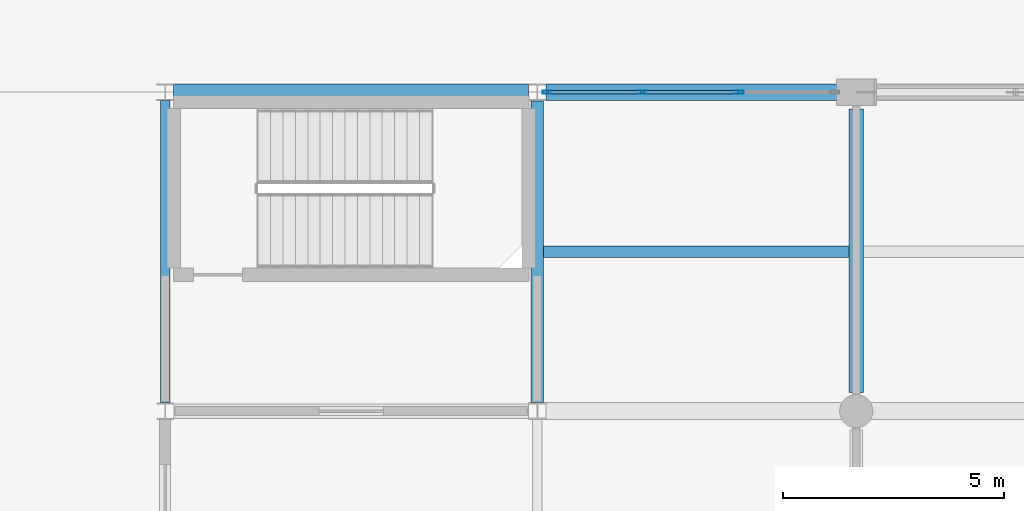
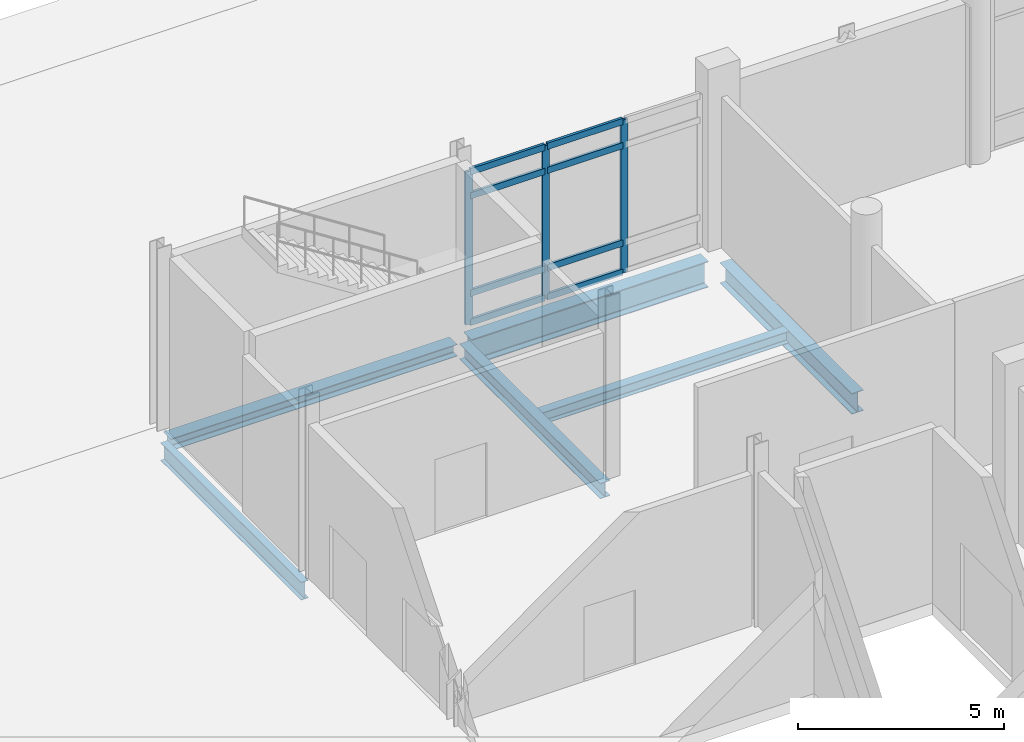
# One storey, part 112 of 229: 11 members, 6 beams, 1 element without a shape of its own.
"""IFC4 building model written with IfcOpenShell, lengths in metres."""

from ifc_helpers import new_model, si_unit, direction, frame, origin, origin_2d, place, context, subcontext, project, spatial, hollow_rectangle, i_section, extrude, material, layer, layer_set, material_profile, profile_set, type_object, element, aggregate, save


model = new_model("IFC4")

# Units and contexts
model_context = context("Model", 3, precision=1e-05, world=origin(), true_north=direction((0.0, 1.0)))
body_context = subcontext(model_context, "Body", "Model", "MODEL_VIEW")
ifc_project = project(units=[si_unit("LENGTHUNIT", "METRE"), si_unit("AREAUNIT", "SQUARE_METRE"), si_unit("VOLUMEUNIT", "CUBIC_METRE"), si_unit("PLANEANGLEUNIT", "RADIAN"), si_unit("MASSUNIT", "GRAM", prefix="KILO")], contexts=[model_context])

# Site, building, storey
site_placement = place(None, origin())
site = spatial("IfcSite", under=ifc_project, at=site_placement, CompositionType="ELEMENT")
building_placement = place(site_placement, origin())
building = spatial("IfcBuilding", under=site, at=building_placement, Name="Calvrana Isthmian Art Gallery", CompositionType="ELEMENT")
storey_placement = place(building_placement, origin())
storey = spatial("IfcBuildingStorey", under=building, at=storey_placement, Name="L00", CompositionType="ELEMENT", Elevation=0.0)

# Beams
ifc_material_1 = material(Name="Steel ASTM A992 Gr 50", Category="steel")
ifc_material_profile_1 = material_profile(ifc_material_1, i_section(OverallWidth=0.279052734375, OverallDepth=0.4619140625, WebThickness=0.0107421875, FlangeThickness=0.017333984375, FilletRadius=0.02001953125, at=origin_2d()), Name="W18X76")
ifc_profile_set_1 = profile_set([ifc_material_profile_1], Name="Steel ASTM A992 Gr 50")
beam_type_1 = type_object("IfcBeamType", Name="BM-G-W18X76", PredefinedType="BEAM", material=ifc_profile_set_1)
beam_1_placement = place(storey_placement, frame((112.800048828125, 91.390380859375, -0.5859375), z_axis=(0.0, 1.0, 0.0), x_axis=(-1.0, 0.0, 0.0)))
element("IfcBeam", 1, at=beam_1_placement, inside=storey, type_object=beam_type_1, Name="Girder Y L00 15/M-N", PredefinedType="BEAM", context=body_context, shape_type="SweptSolid", body=[
    extrude(i_section(OverallWidth=0.279052734375, OverallDepth=0.4619140625, WebThickness=0.0107421875, FlangeThickness=0.017333984375, FilletRadius=0.02001953125, at=origin_2d()), origin(), (0.0, 0.0, 1.0), 6.816650390625),
])
ifc_material_profile_2 = material_profile(ifc_material_1, i_section(OverallWidth=0.208984375, OverallDepth=0.532958984375, WebThickness=0.01025390625, FlangeThickness=0.015625, FilletRadius=0.02099609375, at=origin_2d()), Name="W21X62")
ifc_profile_set_2 = profile_set([ifc_material_profile_2], Name="Steel ASTM A992 Gr 50")
beam_type_2 = type_object("IfcBeamType", Name="BM-G-W21X62", PredefinedType="BEAM", material=ifc_profile_set_2)
beam_2_placement = place(storey_placement, frame((104.39990234375, 91.39306640625, -0.62158203125), z_axis=(0.0, 1.0, 0.0), x_axis=(-1.0, 0.0, 0.0)))
element("IfcBeam", 2, at=beam_2_placement, inside=storey, type_object=beam_type_2, Name="Girder Y L00 14/M-N", PredefinedType="BEAM", context=body_context, shape_type="SweptSolid", body=[
    extrude(i_section(OverallWidth=0.208984375, OverallDepth=0.532958984375, WebThickness=0.01025390625, FlangeThickness=0.015625, FilletRadius=0.02099609375, at=origin_2d()), origin(), (0.0, 0.0, 1.0), 6.8203125),
])
ifc_material_profile_3 = material_profile(ifc_material_1, i_section(OverallWidth=0.324951171875, OverallDepth=0.612060546875, WebThickness=0.0126953125, FlangeThickness=0.01904296875, FilletRadius=0.02197265625, at=origin_2d()), Name="W24X104")
ifc_profile_set_3 = profile_set([ifc_material_profile_3], Name="Steel ASTM A992 Gr 50")
beam_type_3 = type_object("IfcBeamType", Name="BM-G-W24X104", PredefinedType="BEAM", material=ifc_profile_set_3)
beam_3_placement = place(storey_placement, frame((120.0, 91.625, -0.660888671875), z_axis=(0.0, 1.0, 0.0), x_axis=(-1.0, 0.0, 0.0)))
element("IfcBeam", 3, at=beam_3_placement, inside=storey, type_object=beam_type_3, Name="Girder Y L00 16/M-N", PredefinedType="BEAM", context=body_context, shape_type="SweptSolid", body=[
    extrude(i_section(OverallWidth=0.324951171875, OverallDepth=0.612060546875, WebThickness=0.0126953125, FlangeThickness=0.01904296875, FilletRadius=0.02197265625, at=origin_2d()), origin(), (0.0, 0.0, 1.0), 6.39990234375),
])
ifc_material_profile_4 = material_profile(ifc_material_1, i_section(OverallWidth=0.381103515625, OverallDepth=0.77197265625, WebThickness=0.0166015625, FlangeThickness=0.027099609375, FilletRadius=0.02490234375, at=origin_2d()), Name="W30X173")
ifc_profile_set_4 = profile_set([ifc_material_profile_4], Name="Steel ASTM A992 Gr 50")
beam_type_4 = type_object("IfcBeamType", Name="BM-G-W30X173", PredefinedType="BEAM", material=ifc_profile_set_4)
beam_4_placement = place(storey_placement, frame((112.99951171875, 98.39990234375, -0.740966796875), z_axis=(1.0, 0.0, 0.0), x_axis=(0.0, 1.0, 0.0)))
element("IfcBeam", 4, at=beam_4_placement, inside=storey, type_object=beam_type_4, Name="Girder X L00 15-16/N", PredefinedType="BEAM", context=body_context, shape_type="SweptSolid", body=[
    extrude(i_section(OverallWidth=0.381103515625, OverallDepth=0.77197265625, WebThickness=0.0166015625, FlangeThickness=0.027099609375, FilletRadius=0.02490234375, at=origin_2d()), origin(), (0.0, 0.0, 1.0), 6.62548828125),
])
ifc_material_profile_5 = material_profile(ifc_material_1, i_section(OverallWidth=0.25390625, OverallDepth=0.35302734375, WebThickness=0.009521484375, FlangeThickness=0.016357421875, FilletRadius=0.01806640625, at=origin_2d()), Name="W14X61")
ifc_profile_set_5 = profile_set([ifc_material_profile_5], Name="Steel ASTM A992 Gr 50")
beam_type_5 = type_object("IfcBeamType", Name="BM-J-W14X61", PredefinedType="JOIST", material=ifc_profile_set_5)
beam_5_placement = place(storey_placement, frame((112.939453125, 94.800048828125, -0.531494140625), z_axis=(1.0, 0.0, 0.0), x_axis=(0.0, 1.0, 0.0)))
element("IfcBeam", 5, at=beam_5_placement, inside=storey, type_object=beam_type_5, Name="Composite joist L00 bay 14-12", PredefinedType="JOIST", context=body_context, shape_type="SweptSolid", body=[
    extrude(i_section(OverallWidth=0.25390625, OverallDepth=0.35302734375, WebThickness=0.009521484375, FlangeThickness=0.016357421875, FilletRadius=0.01806640625, at=origin_2d()), origin(), (0.0, 0.0, 1.0), 6.89794921875),
])
ifc_material_profile_6 = material_profile(ifc_material_1, i_section(OverallWidth=0.367919921875, OverallDepth=0.35595703125, WebThickness=0.01123046875, FlangeThickness=0.01806640625, FilletRadius=0.02490234375, at=origin_2d()), Name="W14X90")
ifc_profile_set_6 = profile_set([ifc_material_profile_6], Name="Steel ASTM A992 Gr 50")
beam_type_6 = type_object("IfcBeamType", Name="BM-SP-W14X90", PredefinedType="SPANDREL", material=ifc_profile_set_6)
beam_6_placement = place(storey_placement, frame((104.58642578125, 98.39990234375, -0.532958984375), z_axis=(1.0, 0.0, 0.0), x_axis=(0.0, 1.0, 0.0)))
element("IfcBeam", 6, at=beam_6_placement, inside=storey, type_object=beam_type_6, Name="Girder X L00 14-15/N", PredefinedType="SPANDREL", context=body_context, shape_type="SweptSolid", body=[
    extrude(i_section(OverallWidth=0.367919921875, OverallDepth=0.35595703125, WebThickness=0.01123046875, FlangeThickness=0.01806640625, FilletRadius=0.02490234375, at=origin_2d()), origin(), (0.0, 0.0, 1.0), 8.01416015625),
])

# Curtain wall, members
ifc_material_2 = material(Name="Anodized bronze aluminium 6063-T6", Category="aluminium")
ifc_layer = layer(ifc_material_2, 0.179931640625, Name="Anodized bronze aluminium 6063-T6")
ifc_layer_set = layer_set([ifc_layer], Name="Anodized bronze aluminium 6063-T6")
curtain_wall_type = type_object("IfcCurtainWallType", Name="CW-STICK-066X45", PredefinedType="NOTDEFINED", material=ifc_layer_set)
curtain_wall_placement = place(storey_placement, origin())
curtain_wall = element("IfcCurtainWall", 7, at=curtain_wall_placement, inside=storey, type_object=curtain_wall_type, Name="Curtain wall CW-039", PredefinedType="NOTDEFINED")
ifc_material_profile_7 = material_profile(ifc_material_2, hollow_rectangle(XDim=0.070068359375, YDim=0.199951171875, WallThickness=0.0048828125, at=origin_2d()), Name="CWM70X200")
ifc_profile_set_7 = profile_set([ifc_material_profile_7], Name="Anodized bronze aluminium 6063-T6")
member_type_1 = type_object("IfcMemberType", Name="CWM-CWM70X200", PredefinedType="MULLION", material=ifc_profile_set_7)
member_1_placement = place(storey_placement, frame((113.021484375, 98.39990234375, 0.0), z_axis=(0.0, 0.0, 1.0), x_axis=(0.0, 1.0, 0.0)))
member_1 = element("IfcMember", 8, at=member_1_placement, type_object=member_type_1, Name="CW-039 mullion 1", PredefinedType="MULLION", context=body_context, shape_type="SweptSolid", body=[
    extrude(hollow_rectangle(XDim=0.070068359375, YDim=0.199951171875, WallThickness=0.0048828125, at=origin_2d()), origin(), (0.0, 0.0, 1.0), 4.531005859375),
])
member_2_placement = place(storey_placement, frame((115.17431640625, 98.39990234375, 0.0), z_axis=(0.0, 0.0, 1.0), x_axis=(0.0, 1.0, 0.0)))
member_2 = element("IfcMember", 9, at=member_2_placement, type_object=member_type_1, Name="CW-039 mullion 2", PredefinedType="MULLION", context=body_context, shape_type="SweptSolid", body=[
    extrude(hollow_rectangle(XDim=0.070068359375, YDim=0.199951171875, WallThickness=0.0048828125, at=origin_2d()), origin(), (0.0, 0.0, 1.0), 4.531005859375),
])
member_3_placement = place(storey_placement, frame((117.362060546875, 98.39990234375, 0.0), z_axis=(0.0, 0.0, 1.0), x_axis=(0.0, 1.0, 0.0)))
member_3 = element("IfcMember", 10, at=member_3_placement, type_object=member_type_1, Name="CW-039 mullion 3", PredefinedType="MULLION", context=body_context, shape_type="SweptSolid", body=[
    extrude(hollow_rectangle(XDim=0.070068359375, YDim=0.199951171875, WallThickness=0.0048828125, at=origin_2d()), origin(), (0.0, 0.0, 1.0), 4.531005859375),
])
ifc_material_profile_8 = material_profile(ifc_material_2, hollow_rectangle(XDim=0.074951171875, YDim=0.18994140625, WallThickness=0.00439453125, at=origin_2d()), Name="CWT75X190")
ifc_profile_set_8 = profile_set([ifc_material_profile_8], Name="Anodized bronze aluminium 6063-T6")
member_type_2 = type_object("IfcMemberType", Name="CWT-CWT75X190", PredefinedType="USERDEFINED", material=ifc_profile_set_8)
member_4_placement = place(storey_placement, frame((113.056396484375, 98.39990234375, 0.03759765625), z_axis=(1.0, 0.0, 0.0), x_axis=(0.0, 1.0, 0.0)))
member_4 = element("IfcMember", 11, at=member_4_placement, type_object=member_type_2, Name="CW-039 transom 1.1", ObjectType="TRANSOM", PredefinedType="USERDEFINED", context=body_context, shape_type="SweptSolid", body=[
    extrude(hollow_rectangle(XDim=0.074951171875, YDim=0.18994140625, WallThickness=0.00439453125, at=origin_2d()), origin(), (0.0, 0.0, 1.0), 2.0830078125),
])
member_5_placement = place(storey_placement, frame((113.056396484375, 98.39990234375, 0.89990234375), z_axis=(1.0, 0.0, 0.0), x_axis=(0.0, 1.0, 0.0)))
member_5 = element("IfcMember", 12, at=member_5_placement, type_object=member_type_2, Name="CW-039 transom 1.2", ObjectType="TRANSOM", PredefinedType="USERDEFINED", context=body_context, shape_type="SweptSolid", body=[
    extrude(hollow_rectangle(XDim=0.074951171875, YDim=0.18994140625, WallThickness=0.00439453125, at=origin_2d()), origin(), (0.0, 0.0, 1.0), 2.0830078125),
])
member_6_placement = place(storey_placement, frame((113.056396484375, 98.39990234375, 3.781005859375), z_axis=(1.0, 0.0, 0.0), x_axis=(0.0, 1.0, 0.0)))
member_6 = element("IfcMember", 13, at=member_6_placement, type_object=member_type_2, Name="CW-039 transom 1.3", ObjectType="TRANSOM", PredefinedType="USERDEFINED", context=body_context, shape_type="SweptSolid", body=[
    extrude(hollow_rectangle(XDim=0.074951171875, YDim=0.18994140625, WallThickness=0.00439453125, at=origin_2d()), origin(), (0.0, 0.0, 1.0), 2.0830078125),
])
member_7_placement = place(storey_placement, frame((113.056396484375, 98.39990234375, 4.493408203125), z_axis=(1.0, 0.0, 0.0), x_axis=(0.0, 1.0, 0.0)))
member_7 = element("IfcMember", 14, at=member_7_placement, type_object=member_type_2, Name="CW-039 transom 1.4", ObjectType="TRANSOM", PredefinedType="USERDEFINED", context=body_context, shape_type="SweptSolid", body=[
    extrude(hollow_rectangle(XDim=0.074951171875, YDim=0.18994140625, WallThickness=0.00439453125, at=origin_2d()), origin(), (0.0, 0.0, 1.0), 2.0830078125),
])
member_8_placement = place(storey_placement, frame((115.209228515625, 98.39990234375, 0.03759765625), z_axis=(1.0, 0.0, 0.0), x_axis=(0.0, 1.0, 0.0)))
member_8 = element("IfcMember", 15, at=member_8_placement, type_object=member_type_2, Name="CW-039 transom 2.1", ObjectType="TRANSOM", PredefinedType="USERDEFINED", context=body_context, shape_type="SweptSolid", body=[
    extrude(hollow_rectangle(XDim=0.074951171875, YDim=0.18994140625, WallThickness=0.00439453125, at=origin_2d()), origin(), (0.0, 0.0, 1.0), 2.117919921875),
])
member_9_placement = place(storey_placement, frame((115.209228515625, 98.39990234375, 0.89990234375), z_axis=(1.0, 0.0, 0.0), x_axis=(0.0, 1.0, 0.0)))
member_9 = element("IfcMember", 16, at=member_9_placement, type_object=member_type_2, Name="CW-039 transom 2.2", ObjectType="TRANSOM", PredefinedType="USERDEFINED", context=body_context, shape_type="SweptSolid", body=[
    extrude(hollow_rectangle(XDim=0.074951171875, YDim=0.18994140625, WallThickness=0.00439453125, at=origin_2d()), origin(), (0.0, 0.0, 1.0), 2.117919921875),
])
member_10_placement = place(storey_placement, frame((115.209228515625, 98.39990234375, 3.781005859375), z_axis=(1.0, 0.0, 0.0), x_axis=(0.0, 1.0, 0.0)))
member_10 = element("IfcMember", 17, at=member_10_placement, type_object=member_type_2, Name="CW-039 transom 2.3", ObjectType="TRANSOM", PredefinedType="USERDEFINED", context=body_context, shape_type="SweptSolid", body=[
    extrude(hollow_rectangle(XDim=0.074951171875, YDim=0.18994140625, WallThickness=0.00439453125, at=origin_2d()), origin(), (0.0, 0.0, 1.0), 2.117919921875),
])
member_11_placement = place(storey_placement, frame((115.209228515625, 98.39990234375, 4.493408203125), z_axis=(1.0, 0.0, 0.0), x_axis=(0.0, 1.0, 0.0)))
member_11 = element("IfcMember", 18, at=member_11_placement, type_object=member_type_2, Name="CW-039 transom 2.4", ObjectType="TRANSOM", PredefinedType="USERDEFINED", context=body_context, shape_type="SweptSolid", body=[
    extrude(hollow_rectangle(XDim=0.074951171875, YDim=0.18994140625, WallThickness=0.00439453125, at=origin_2d()), origin(), (0.0, 0.0, 1.0), 2.117919921875),
])
aggregate(curtain_wall, [member_1, member_2, member_3, member_4, member_5, member_6, member_7, member_8, member_9, member_10, member_11])

save(model, "model.ifc")
